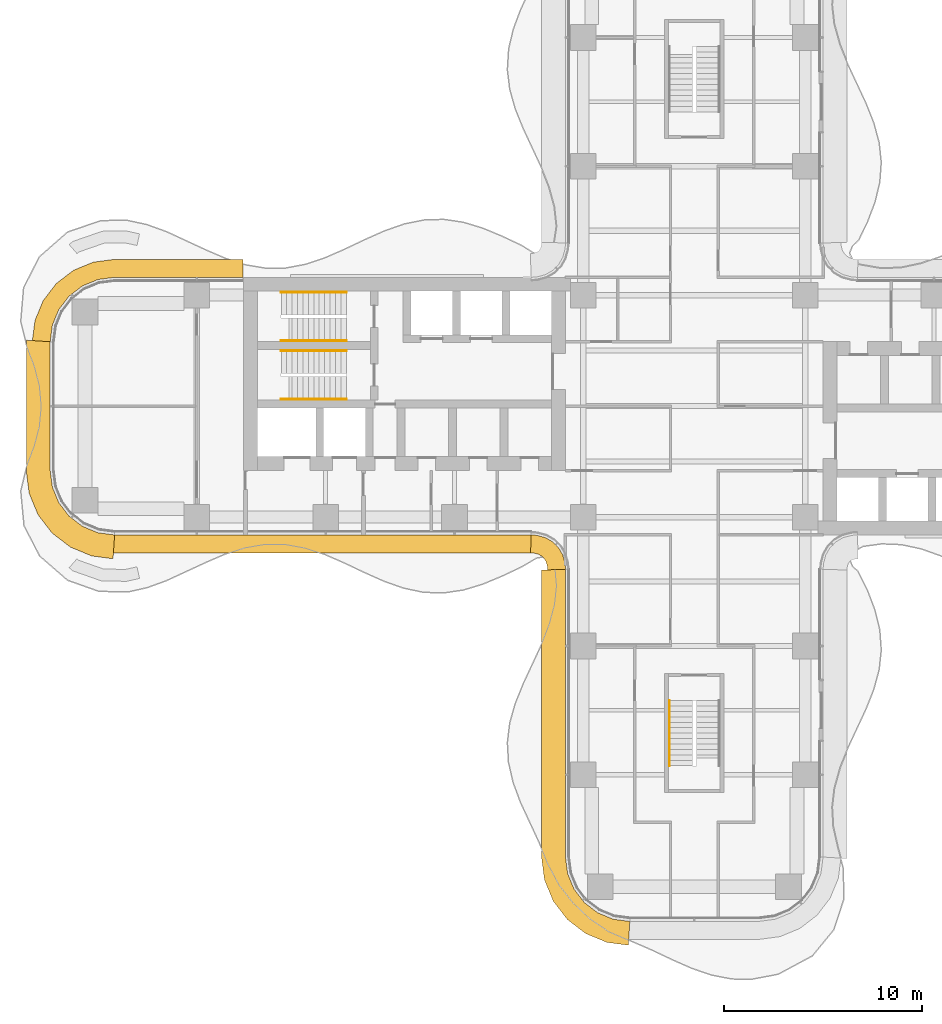
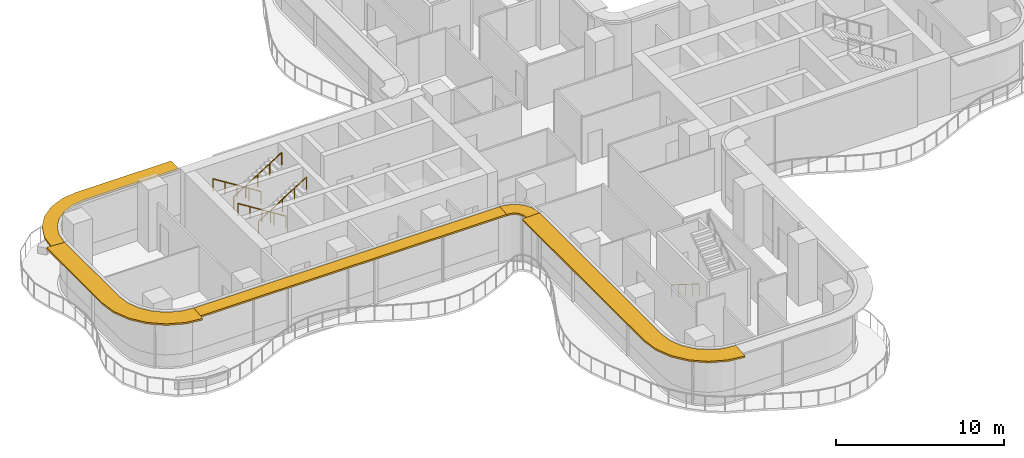
# One storey, part 19 of 20: 5 railings, 5 shading devices.
"""IFC4 building model written with IfcOpenShell, lengths in metres."""

from ifc_helpers import new_model, si_unit, direction, frame, origin, origin_2d, place, context, subcontext, project, spatial, polyline, circle, outline, extrude, source, transform, mapped, material, layer, layer_set, type_object, element, save


model = new_model("IFC4")

# Units and contexts
model_context = context("Model", 3, precision=1e-05, world=origin(), true_north=direction((0.0, 1.0)))
body_context = subcontext(model_context, "Body", "Model", "MODEL_VIEW")
ifc_project = project(units=[si_unit("LENGTHUNIT", "METRE"), si_unit("AREAUNIT", "SQUARE_METRE"), si_unit("VOLUMEUNIT", "CUBIC_METRE"), si_unit("PLANEANGLEUNIT", "RADIAN"), si_unit("MASSUNIT", "GRAM", prefix="KILO")], contexts=[model_context])

# Site, building, storey
site_placement = place(None, origin())
site = spatial("IfcSite", under=ifc_project, at=site_placement, CompositionType="ELEMENT")
building_placement = place(site_placement, origin())
building = spatial("IfcBuilding", under=site, at=building_placement, Name="Trellis Farm Tower", CompositionType="ELEMENT")
storey_placement = place(building_placement, frame((0.0, 0.0, 151.5)))
storey = spatial("IfcBuildingStorey", under=building, at=storey_placement, Name="L32", CompositionType="ELEMENT", Elevation=151.5)

# Railings
ifc_material_1 = material(Name="Stainless steel", Category="steel")
railing_type = type_object("IfcRailingType", Name="STAIR HANDRAIL 900", PredefinedType="HANDRAIL", material=ifc_material_1)
shared_shape_1 = source(origin(), body_context, "Body", "SweptSolid", [
    extrude(circle(Radius=0.02392578125, at=origin_2d()), frame((0.0, 0.0, 0.8759765625), z_axis=(0.0, -0.846319618018, 0.532675421018), x_axis=(1.0, 0.0, 0.0)), (0.0, 0.0, 1.0), 3.89892578125),
    extrude(circle(Radius=0.02099609375, at=origin_2d()), origin(), (0.0, 0.0, 1.0), 0.851806640625),
    extrude(circle(Radius=0.02099609375, at=origin_2d()), frame((0.0, -0.824951171875, 0.519287109375)), (0.0, 0.0, 1.0), 0.851806640625),
    extrude(circle(Radius=0.02099609375, at=origin_2d()), frame((0.0, -1.64990234375, 1.03857421875)), (0.0, 0.0, 1.0), 0.851806640625),
    extrude(circle(Radius=0.02099609375, at=origin_2d()), frame((0.0, -2.474853515625, 1.5576171875)), (0.0, 0.0, 1.0), 0.851806640625),
    extrude(circle(Radius=0.02099609375, at=origin_2d()), frame((0.0, -3.2998046875, 2.076904296875)), (0.0, 0.0, 1.0), 0.851806640625),
])
railing_placement = place(storey_placement, frame((-1.25, -14.85009765625, 0.173095703125)))
element("IfcRailing", 1, at=railing_placement, inside=storey, type_object=railing_type, Name="Stair handrail", PredefinedType="HANDRAIL", context=body_context, shape_type="MappedRepresentation", body=[
    mapped(shared_shape_1, transform((0.0, 0.0, 0.0))),
])
shared_shape_2 = source(origin(), body_context, "Body", "SweptSolid", [
    extrude(circle(Radius=0.02392578125, at=origin_2d()), frame((0.0, 0.0, 0.8759765625), z_axis=(0.846337383501, 0.0, 0.532647194011), x_axis=(0.0, 1.0, 0.0)), (0.0, 0.0, 1.0), 3.899169921875),
    extrude(circle(Radius=0.02099609375, at=origin_2d()), origin(), (0.0, 0.0, 1.0), 0.851806640625),
    extrude(circle(Radius=0.02099609375, at=origin_2d()), frame((0.824951171875, 0.0, 0.519287109375)), (0.0, 0.0, 1.0), 0.851806640625),
    extrude(circle(Radius=0.02099609375, at=origin_2d()), frame((1.64990234375, 0.0, 1.03857421875)), (0.0, 0.0, 1.0), 0.851806640625),
    extrude(circle(Radius=0.02099609375, at=origin_2d()), frame((2.47509765625, 0.0, 1.5576171875)), (0.0, 0.0, 1.0), 0.851806640625),
    extrude(circle(Radius=0.02099609375, at=origin_2d()), frame((3.300048828125, 0.0, 2.076904296875)), (0.0, 0.0, 1.0), 0.851806640625),
])
for number, where, name in (
    (2, (-20.85009765625, 3.300048828125, 2.423095703125), "Stair handrail"),
    (3, (-20.85009765625, 0.35009765625, 2.423095703125), "Stair handrail"),
):
    element("IfcRailing", number, at=place(storey_placement, frame(where)), inside=storey, type_object=railing_type, Name=name, PredefinedType="HANDRAIL", context=body_context, shape_type="MappedRepresentation", body=[
        mapped(shared_shape_2, transform((0.0, 0.0, 0.0))),
    ])
shared_shape_3 = source(origin(), body_context, "Body", "SweptSolid", [
    extrude(circle(Radius=0.02392578125, at=origin_2d()), frame((0.0, 0.0, 0.8759765625), z_axis=(-0.846337383501, 0.0, 0.532647194011), x_axis=(0.0, -1.0, 0.0)), (0.0, 0.0, 1.0), 3.899169921875),
    extrude(circle(Radius=0.02099609375, at=origin_2d()), origin(), (0.0, 0.0, 1.0), 0.851806640625),
    extrude(circle(Radius=0.02099609375, at=origin_2d()), frame((-0.824951171875, 0.0, 0.519287109375)), (0.0, 0.0, 1.0), 0.851806640625),
    extrude(circle(Radius=0.02099609375, at=origin_2d()), frame((-1.64990234375, 0.0, 1.03857421875)), (0.0, 0.0, 1.0), 0.851806640625),
    extrude(circle(Radius=0.02099609375, at=origin_2d()), frame((-2.47509765625, 0.0, 1.5576171875)), (0.0, 0.0, 1.0), 0.851806640625),
    extrude(circle(Radius=0.02099609375, at=origin_2d()), frame((-3.300048828125, 0.0, 2.076904296875)), (0.0, 0.0, 1.0), 0.851806640625),
])
for number, where, name in (
    (4, (-17.550048828125, 5.75, 0.173095703125), "Stair handrail"),
    (5, (-17.550048828125, 2.800048828125, 0.173095703125), "Stair handrail"),
):
    element("IfcRailing", number, at=place(storey_placement, frame(where)), inside=storey, type_object=railing_type, Name=name, PredefinedType="HANDRAIL", context=body_context, shape_type="MappedRepresentation", body=[
        mapped(shared_shape_3, transform((0.0, 0.0, 0.0))),
    ])

# Shading devices
ifc_material_2 = material(Name="Aluminium extrusion 6063-T6", Category="aluminium")
ifc_layer_1 = layer(ifc_material_2, 0.1201171875)
ifc_layer_set_1 = layer_set([ifc_layer_1], Name="SUNSHADE BLADE 900")
shading_device_type_1 = type_object("IfcShadingDeviceType", Name="SUNSHADE BLADE 900", PredefinedType="USERDEFINED", material=ifc_layer_set_1)
shared_shape_4 = source(origin(), body_context, "Body", "SweptSolid", [
    extrude(outline(polyline([(-29.30908203125, -7.39990234375), (-8.2607421875, -7.39990234375), (-8.2314453125, -6.5), (-29.25, -6.5), (-29.30908203125, -7.39990234375)])), origin(), (0.0, 0.0, 1.0), 0.1201171875),
])
placement = place(storey_placement, frame((0.0, 0.0, 3.989990234375)))
element("IfcShadingDevice", 6, at=placement, inside=storey, type_object=shading_device_type_1, Name="SD1 001", ObjectType="SUNSHADE", PredefinedType="USERDEFINED", context=body_context, shape_type="MappedRepresentation", body=[
    mapped(shared_shape_4, transform((0.0, 0.0, 0.0))),
])
shared_shape_5 = source(origin(), body_context, "Body", "SweptSolid", [
    extrude(outline(polyline([(-8.2607421875, -7.39990234375), (-8.107666015625, -7.409912109375), (-8.091552734375, -7.412109375), (-7.85595703125, -7.475341796875), (-7.697021484375, -7.567138671875), (-7.567138671875, -7.697021484375), (-7.475341796875, -7.85595703125), (-7.412109375, -8.091552734375), (-7.409912109375, -8.107666015625), (-7.39990234375, -8.2607421875), (-6.5, -8.2314453125), (-6.513916015625, -8.01953125), (-6.527587890625, -7.91552734375), (-6.63671875, -7.508544921875), (-6.846923828125, -7.144287109375), (-7.144287109375, -6.846923828125), (-7.508544921875, -6.63671875), (-7.91552734375, -6.527587890625), (-8.01953125, -6.513916015625), (-8.2314453125, -6.5), (-8.2607421875, -7.39990234375)])), origin(), (0.0, 0.0, 1.0), 0.1201171875),
])
element("IfcShadingDevice", 7, at=placement, inside=storey, type_object=shading_device_type_1, Name="SD1 002", ObjectType="SUNSHADE", PredefinedType="USERDEFINED", context=body_context, shape_type="MappedRepresentation", body=[
    mapped(shared_shape_5, transform((0.0, 0.0, 0.0))),
])
ifc_layer_2 = layer(ifc_material_2, 0.1201171875)
ifc_layer_set_2 = layer_set([ifc_layer_2], Name="SUNSHADE BLADE 1200")
shading_device_type_2 = type_object("IfcShadingDeviceType", Name="SUNSHADE BLADE 1200", PredefinedType="USERDEFINED", material=ifc_layer_set_2)
shared_shape_6 = source(origin(), body_context, "Body", "SweptSolid", [
    extrude(outline(polyline([(-7.699951171875, -8.270751953125), (-7.699951171875, -22.82861328125), (-7.558349609375, -23.904541015625), (-7.11279296875, -24.980224609375), (-6.404052734375, -25.904052734375), (-5.480224609375, -26.61279296875), (-4.404541015625, -27.058349609375), (-3.32861328125, -27.199951171875), (-3.25, -26.0), (-4.091064453125, -25.88916015625), (-4.875, -25.564697265625), (-5.548095703125, -25.048095703125), (-6.064697265625, -24.375), (-6.38916015625, -23.591064453125), (-6.5, -22.75), (-6.5, -8.2314453125), (-7.699951171875, -8.270751953125)])), origin(), (0.0, 0.0, 1.0), 0.1201171875),
])
element("IfcShadingDevice", 8, at=placement, inside=storey, type_object=shading_device_type_2, Name="SD2 003", ObjectType="SUNSHADE", PredefinedType="USERDEFINED", context=body_context, shape_type="MappedRepresentation", body=[
    mapped(shared_shape_6, transform((0.0, 0.0, 0.0))),
])
shared_shape_7 = source(origin(), body_context, "Body", "SweptSolid", [
    extrude(outline(polyline([(-22.780029296875, 7.39990234375), (-29.30908203125, 7.39990234375), (-30.326171875, 7.26611328125), (-31.328857421875, 6.850830078125), (-32.18994140625, 6.18994140625), (-32.850830078125, 5.328857421875), (-33.26611328125, 4.326171875), (-33.39990234375, 3.30908203125), (-32.5, 3.25), (-32.38916015625, 4.091064453125), (-32.064697265625, 4.875), (-31.548095703125, 5.548095703125), (-30.875, 6.064697265625), (-30.091064453125, 6.38916015625), (-29.25, 6.5), (-22.780029296875, 6.5), (-22.780029296875, 7.39990234375)])), origin(), (0.0, 0.0, 1.0), 0.1201171875),
])
element("IfcShadingDevice", 9, at=placement, inside=storey, type_object=shading_device_type_1, Name="SD1 015", ObjectType="SUNSHADE", PredefinedType="USERDEFINED", context=body_context, shape_type="MappedRepresentation", body=[
    mapped(shared_shape_7, transform((0.0, 0.0, 0.0))),
])
shared_shape_8 = source(origin(), body_context, "Body", "SweptSolid", [
    extrude(outline(polyline([(-33.699951171875, 3.32861328125), (-33.699951171875, -3.32861328125), (-33.558349609375, -4.404541015625), (-33.11279296875, -5.480224609375), (-32.404052734375, -6.404052734375), (-31.480224609375, -7.11279296875), (-30.404541015625, -7.558349609375), (-29.32861328125, -7.699951171875), (-29.25, -6.5), (-30.091064453125, -6.38916015625), (-30.875, -6.064697265625), (-31.548095703125, -5.548095703125), (-32.064697265625, -4.875), (-32.38916015625, -4.091064453125), (-32.5, -3.25), (-32.5, 3.25), (-33.699951171875, 3.32861328125)])), origin(), (0.0, 0.0, 1.0), 0.1201171875),
])
element("IfcShadingDevice", 10, at=placement, inside=storey, type_object=shading_device_type_2, Name="SD2 016", ObjectType="SUNSHADE", PredefinedType="USERDEFINED", context=body_context, shape_type="MappedRepresentation", body=[
    mapped(shared_shape_8, transform((0.0, 0.0, 0.0))),
])

save(model, "model.ifc")
